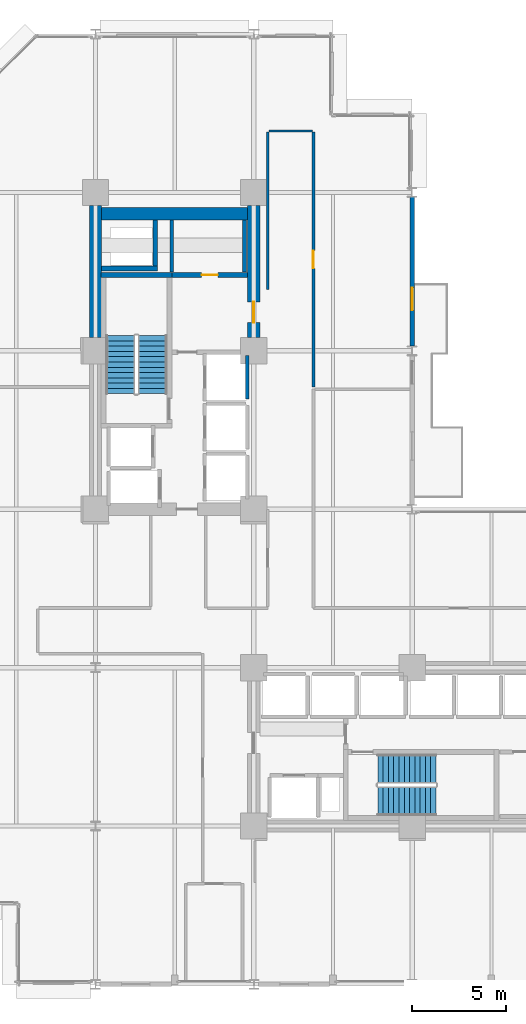
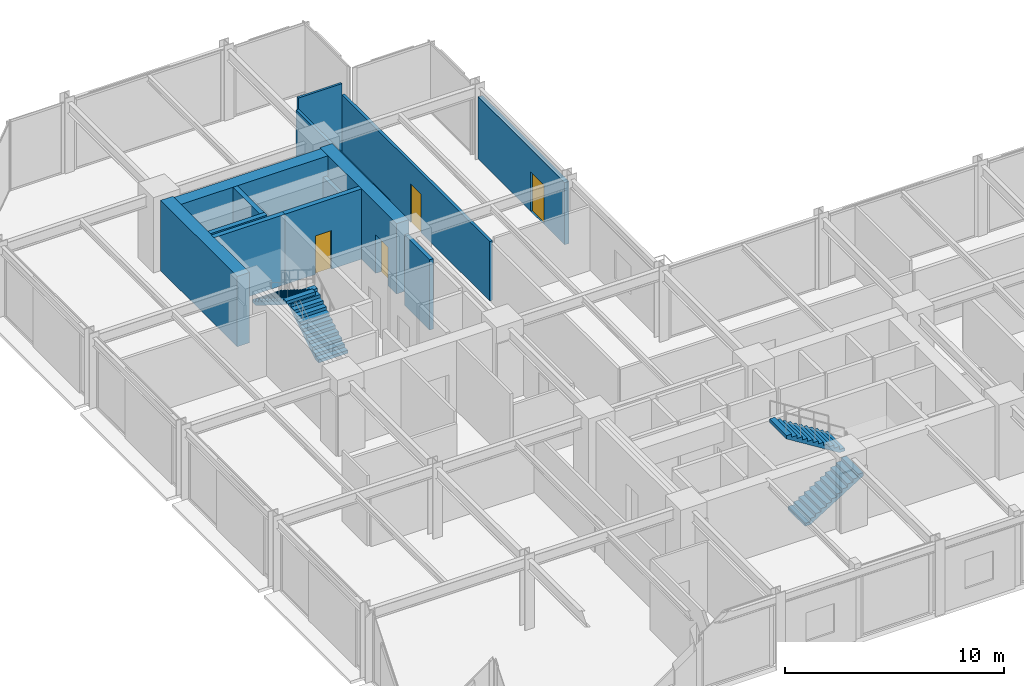
# One storey, part 22 of 25: 14 walls, 4 doors, 4 stair flights, 4 openings, 2 elements without a shape of their own.
"""IFC4 building model written with IfcOpenShell, lengths in metres."""

from ifc_helpers import new_model, si_unit, direction, frame, frame_2d, origin, place, context, subcontext, project, spatial, polyline, rectangle, outline, extrude, material, layer, layer_set, type_object, element, fill, aggregate, save


model = new_model("IFC4")

# Units and contexts
model_context = context("Model", 3, precision=1e-05, world=origin(), true_north=direction((0.0, 1.0)))
body_context = subcontext(model_context, "Body", "Model", "MODEL_VIEW")
ifc_project = project(units=[si_unit("LENGTHUNIT", "METRE"), si_unit("AREAUNIT", "SQUARE_METRE"), si_unit("VOLUMEUNIT", "CUBIC_METRE"), si_unit("PLANEANGLEUNIT", "RADIAN"), si_unit("MASSUNIT", "GRAM", prefix="KILO")], contexts=[model_context])

# Site, building, storey
site_placement = place(None, origin())
site = spatial("IfcSite", under=ifc_project, at=site_placement, CompositionType="ELEMENT")
building_placement = place(site_placement, origin())
building = spatial("IfcBuilding", under=site, at=building_placement, Name="Nerrivon Quay Data Exchange", CompositionType="ELEMENT")
storey_placement = place(building_placement, frame((0.0, 0.0, 29.0)))
storey = spatial("IfcBuildingStorey", under=building, at=storey_placement, Name="L06", CompositionType="ELEMENT", Elevation=29.0)

# Wall, opening, door
ifc_material_1 = material(Name="Architectural terracotta precast concrete N50 (50 MPa)", Category="masonry")
ifc_layer_1 = layer(ifc_material_1, 0.239990234375)
ifc_layer_set_1 = layer_set([ifc_layer_1], Name="Architectural terracotta precast concrete N50 (50 MPa)")
wall_type_1 = type_object("IfcWallType", Name="EW-PREC-240", PredefinedType="STANDARD", material=ifc_layer_set_1)
wall_1_placement = place(storey_placement, frame((25.199951171875, 41.75, 0.0), z_axis=(0.0, 0.0, 1.0), x_axis=(0.0, -1.0, 0.0)))
wall_1 = element("IfcWall", 1, at=wall_1_placement, inside=storey, type_object=wall_type_1, Name="L06 Terrace Host Wall 26", PredefinedType="STANDARD", context=body_context, shape_type="SweptSolid", body=[
    extrude(rectangle(XDim=7.89990234375, YDim=0.239990234375, at=frame_2d((3.949951171875, 0.0))), origin(), (0.0, 0.0, 1.0), 3.470947265625),
])
opening_1_placement = place(wall_1_placement, frame((4.800048828125, 0.0, 0.0)))
opening_1 = element("IfcOpeningElement", 2, at=opening_1_placement, cuts=wall_1, Name="Opening TD1", PredefinedType="OPENING", context=body_context, shape_type="SweptSolid", body=[
    extrude(rectangle(XDim=1.199951171875, YDim=2.199951171875, at=frame_2d((0.60009765625, 1.10009765625))), frame((0.0, 0.1298828125, 0.0), z_axis=(0.0, -1.0, 0.0), x_axis=(1.0, 0.0, 0.0)), (0.0, 0.0, 1.0), 0.260009765625),
])
ifc_material_2 = material(Name="Double-glazed low-E solar control glass", Category="glass")
door_type_1 = type_object("IfcDoorType", Name="DR-TERR-1200x2200", OperationType="NOTDEFINED", PredefinedType="DOOR", material=ifc_material_2)
door_1_placement = place(opening_1_placement, origin())
door_1 = element("IfcDoor", 3, at=door_1_placement, inside=storey, type_object=door_type_1, Name="L06 Outdoor Terrace Access Door 26", OperationType="SINGLE_SWING_LEFT", OverallHeight=2.199951171875, OverallWidth=1.199951171875, PredefinedType="DOOR", context=body_context, shape_type="SweptSolid", body=[
    extrude(rectangle(XDim=1.199951171875, YDim=2.199951171875, at=frame_2d((0.60009765625, 1.10009765625))), frame((0.0, 0.02490234375, 0.0), z_axis=(0.0, -1.0, 0.0), x_axis=(1.0, 0.0, 0.0)), (0.0, 0.0, 1.0), 0.050048828125),
])
fill(opening_1, door_1)

# Walls
ifc_material_3 = material(Name="Concrete N80 (80 MPa)", Category="concrete")
ifc_layer_2 = layer(ifc_material_3, 0.64990234375)
ifc_layer_set_2 = layer_set([ifc_layer_2], Name="Concrete N80 (80 MPa)")
wall_type_2 = type_object("IfcWallType", Name="WALL-CW-850", PredefinedType="SHEAR", material=ifc_layer_set_2)
wall_2_placement = place(storey_placement, frame((8.39990234375, 34.300048828125, 0.0), z_axis=(0.0, 0.0, 1.0), x_axis=(0.0, 1.0, 0.0)))
element("IfcWall", 4, at=wall_2_placement, inside=storey, type_object=wall_type_2, Name="L06 West Split-Core Shear Wall WCW-W2", PredefinedType="SHEAR", context=body_context, shape_type="SweptSolid", body=[
    extrude(rectangle(XDim=7.0, YDim=0.64990234375, at=frame_2d((3.5, 0.0))), origin(), (0.0, 0.0, 1.0), 3.925048828125),
])
wall_3_placement = place(storey_placement, frame((8.72509765625, 40.875, 0.0), z_axis=(0.0, 0.0, 1.0), x_axis=(1.0, 0.0, 0.0)))
element("IfcWall", 5, at=wall_3_placement, inside=storey, type_object=wall_type_2, Name="L06 West Split-Core Shear Wall WCW-N1", PredefinedType="SHEAR", context=body_context, shape_type="SweptSolid", body=[
    extrude(rectangle(XDim=7.75, YDim=0.64990234375, at=frame_2d((3.875, 0.0))), origin(), (0.0, 0.0, 1.0), 3.925048828125),
])

# Wall, opening, door
wall_4_placement = place(storey_placement, frame((16.800048828125, 34.300048828125, 0.0), z_axis=(0.0, 0.0, 1.0), x_axis=(0.0, 1.0, 0.0)))
wall_4 = element("IfcWall", 6, at=wall_4_placement, inside=storey, type_object=wall_type_2, Name="L06 West Split-Core Shear Wall WCW-E1", PredefinedType="SHEAR", context=body_context, shape_type="SweptSolid", body=[
    extrude(rectangle(XDim=7.0, YDim=0.64990234375, at=frame_2d((3.5, 0.0))), origin(), (0.0, 0.0, 1.0), 3.925048828125),
])
opening_2_placement = place(wall_4_placement, frame((0.800048828125, 0.0, 0.0)))
opening_2 = element("IfcOpeningElement", 7, at=opening_2_placement, cuts=wall_4, Name="Opening FD-120", PredefinedType="OPENING", context=body_context, shape_type="SweptSolid", body=[
    extrude(rectangle(XDim=1.10009765625, YDim=2.14990234375, at=frame_2d((0.550048828125, 1.074951171875))), frame((0.0, 0.3349609375, 0.0), z_axis=(0.0, -1.0, 0.0), x_axis=(1.0, 0.0, 0.0)), (0.0, 0.0, 1.0), 0.669921875),
])
ifc_material_4 = material(Name="Powder-coated galvanized steel sheet", Category="steel")
door_type_2 = type_object("IfcDoorType", Name="DR-FD120-1100", OperationType="NOTDEFINED", PredefinedType="DOOR", material=ifc_material_4)
door_2_placement = place(opening_2_placement, origin())
door_2 = element("IfcDoor", 8, at=door_2_placement, inside=storey, type_object=door_type_2, Name="L06 West Core Lobby Fire Door", OperationType="SINGLE_SWING_LEFT", OverallHeight=2.14990234375, OverallWidth=1.10009765625, PredefinedType="DOOR", context=body_context, shape_type="SweptSolid", body=[
    extrude(rectangle(XDim=1.10009765625, YDim=2.14990234375, at=frame_2d((0.550048828125, 1.074951171875))), frame((0.0, 0.02490234375, 0.0), z_axis=(0.0, -1.0, 0.0), x_axis=(1.0, 0.0, 0.0)), (0.0, 0.0, 1.0), 0.050048828125),
])
fill(opening_2, door_2)

# Walls
ifc_material_5 = material(Name="Gypsum plasterboard on cold-formed framing", Category="gypsum")
ifc_layer_3 = layer(ifc_material_5, 0.199951171875)
ifc_layer_set_3 = layer_set([ifc_layer_3], Name="Gypsum plasterboard on cold-formed framing")
wall_type_3 = type_object("IfcWallType", Name="WALL-FW-200", PredefinedType="PARTITIONING", material=ifc_layer_set_3)
wall_5_placement = place(storey_placement, frame((16.449951171875, 31.050048828125, 0.0), z_axis=(0.0, 0.0, 1.0), x_axis=(0.0, 1.0, 0.0)))
element("IfcWall", 9, at=wall_5_placement, inside=storey, type_object=wall_type_3, Name="L06 Lift Shaft Wall PL3 EAST", PredefinedType="PARTITIONING", context=body_context, shape_type="SweptSolid", body=[
    extrude(rectangle(XDim=2.300048828125, YDim=0.199951171875, at=frame_2d((1.14990234375, 0.0))), origin(), (0.0, 0.0, 1.0), 3.925048828125),
])
for number, where, z_axis, x_axis, name in (
    (10, (16.300048828125, 37.780029296875, 0.0), (0.0, 0.0, 1.0), (0.0, 1.0, 0.0), "L06 Partition Cleaners Store"),
    (11, (12.449951171875, 40.5458984375, 0.0), (0.0, 0.0, 1.0), (0.0, -1.0, 0.0), "L06 Partition Cleaners Store"),
):
    element("IfcWall", number, at=place(storey_placement, frame(where, z_axis=z_axis, x_axis=x_axis)), inside=storey, type_object=wall_type_3, Name=name, PredefinedType="PARTITIONING", context=body_context, shape_type="SweptSolid", body=[
        extrude(rectangle(XDim=2.765869140625, YDim=0.199951171875, at=frame_2d((1.3828125, 0.0))), origin(), (0.0, 0.0, 1.0), 2.824951171875),
    ])
ifc_layer_4 = layer(ifc_material_5, 0.1201171875)
ifc_layer_set_4 = layer_set([ifc_layer_4], Name="Gypsum plasterboard on cold-formed framing")
wall_type_4 = type_object("IfcWallType", Name="WALL-PT-120", PredefinedType="PARTITIONING", material=ifc_layer_set_4)
wall_6_placement = place(storey_placement, frame((17.60009765625, 45.260009765625, 0.0), z_axis=(0.0, 0.0, 1.0), x_axis=(1.0, 0.0, 0.0)))
element("IfcWall", 12, at=wall_6_placement, inside=storey, type_object=wall_type_4, Name="L06 Partition Cloud Compute Workspace 1", PredefinedType="PARTITIONING", context=body_context, shape_type="SweptSolid", body=[
    extrude(rectangle(XDim=2.2998046875, YDim=0.1201171875, at=frame_2d((1.14990234375, 0.0))), origin(), (0.0, 0.0, 1.0), 3.925048828125),
])

# Wall, opening, door
ifc_layer_5 = layer(ifc_material_5, 0.14990234375)
ifc_layer_set_5 = layer_set([ifc_layer_5], Name="Gypsum plasterboard on cold-formed framing")
wall_type_5 = type_object("IfcWallType", Name="WALL-PT-150", PredefinedType="PARTITIONING", material=ifc_layer_set_5)
wall_7_placement = place(storey_placement, frame((19.9599609375, 45.199951171875, 0.0), z_axis=(0.0, 0.0, 1.0), x_axis=(0.0, -1.0, 0.0)))
wall_7 = element("IfcWall", 13, at=wall_7_placement, inside=storey, type_object=wall_type_5, Name="L06 Partition Cloud Compute Workspace 1", PredefinedType="PARTITIONING", context=body_context, shape_type="SweptSolid", body=[
    extrude(rectangle(XDim=13.507080078125, YDim=0.14990234375, at=frame_2d((6.75341796875, 0.0))), origin(), (0.0, 0.0, 1.0), 3.31298828125),
])
opening_3_placement = place(wall_7_placement, frame((6.278564453125, 0.0, 0.0)))
opening_3 = element("IfcOpeningElement", 14, at=opening_3_placement, cuts=wall_7, Name="Opening D-01", PredefinedType="OPENING", context=body_context, shape_type="SweptSolid", body=[
    extrude(rectangle(XDim=0.949951171875, YDim=2.14990234375, at=frame_2d((0.47509765625, 1.074951171875))), frame((0.0, 0.0849609375, 0.0), z_axis=(0.0, -1.0, 0.0), x_axis=(1.0, 0.0, 0.0)), (0.0, 0.0, 1.0), 0.169921875),
])
ifc_material_6 = material(Name="Engineered hardwood timber", Category="wood")
door_type_3 = type_object("IfcDoorType", Name="DR-INT-950", OperationType="NOTDEFINED", PredefinedType="DOOR", material=ifc_material_6)
door_3_placement = place(opening_3_placement, origin())
door_3 = element("IfcDoor", 15, at=door_3_placement, inside=storey, type_object=door_type_3, Name="L06 Door Cloud Compute Workspace 1", OperationType="SINGLE_SWING_LEFT", OverallHeight=2.14990234375, OverallWidth=0.949951171875, PredefinedType="DOOR", context=body_context, shape_type="SweptSolid", body=[
    extrude(rectangle(XDim=0.949951171875, YDim=2.14990234375, at=frame_2d((0.47509765625, 1.074951171875))), frame((0.0, 0.02490234375, 0.0), z_axis=(0.0, -1.0, 0.0), x_axis=(1.0, 0.0, 0.0)), (0.0, 0.0, 1.0), 0.050048828125),
])
fill(opening_3, door_3)

# Walls
wall_8_placement = place(storey_placement, frame((17.5400390625, 36.860107421875, 0.0), z_axis=(0.0, 0.0, 1.0), x_axis=(0.0, 1.0, 0.0)))
element("IfcWall", 16, at=wall_8_placement, inside=storey, type_object=wall_type_5, Name="L06 Partition Cloud Compute Workspace 1", PredefinedType="PARTITIONING", context=body_context, shape_type="SweptSolid", body=[
    extrude(rectangle(XDim=8.33984375, YDim=0.14990234375, at=frame_2d((4.169921875, 0.0))), origin(), (0.0, 0.0, 1.0), 3.31298828125),
])
ifc_material_7 = material(Name="Concrete N50 (50 MPa)", Category="concrete")
ifc_layer_6 = layer(ifc_material_7, 0.25)
ifc_layer_set_6 = layer_set([ifc_layer_6], Name="Concrete N50 (50 MPa)")
wall_type_6 = type_object("IfcWallType", Name="WALL-SW-250", PredefinedType="SHEAR", material=ifc_layer_set_6)
wall_9_placement = place(storey_placement, frame((12.449951171875, 37.625, 0.0), z_axis=(0.0, 0.0, 1.0), x_axis=(-1.0, 0.0, 0.0)))
element("IfcWall", 17, at=wall_9_placement, inside=storey, type_object=wall_type_6, Name="L06 ST01 Structural Stair Core Wall FAR", PredefinedType="SHEAR", context=body_context, shape_type="SweptSolid", body=[
    extrude(rectangle(XDim=3.75, YDim=0.25, at=frame_2d((1.875, 0.0))), origin(), (0.0, 0.0, 1.0), 3.925048828125),
])
wall_10_placement = place(storey_placement, frame((8.72509765625, 37.97509765625, 0.0), z_axis=(0.0, 0.0, 1.0), x_axis=(1.0, 0.0, 0.0)))
element("IfcWall", 18, at=wall_10_placement, inside=storey, type_object=wall_type_6, Name="L06 West Core MEP Riser Shaft Wall S", PredefinedType="SHEAR", context=body_context, shape_type="SweptSolid", body=[
    extrude(rectangle(XDim=2.974853515625, YDim=0.25, at=frame_2d((1.4873046875, 0.0))), origin(), (0.0, 0.0, 1.0), 3.925048828125),
])
wall_11_placement = place(storey_placement, frame((11.574951171875, 38.10009765625, 0.0), z_axis=(0.0, 0.0, 1.0), x_axis=(0.0, 1.0, 0.0)))
element("IfcWall", 19, at=wall_11_placement, inside=storey, type_object=wall_type_6, Name="L06 West Core MEP Riser Shaft Wall E", PredefinedType="SHEAR", context=body_context, shape_type="SweptSolid", body=[
    extrude(rectangle(XDim=2.449951171875, YDim=0.25, at=frame_2d((1.22509765625, 0.0))), origin(), (0.0, 0.0, 1.0), 3.925048828125),
])

# Wall, opening, door
wall_12_placement = place(storey_placement, frame((12.449951171875, 37.625, 0.0), z_axis=(0.0, 0.0, 1.0), x_axis=(1.0, 0.0, 0.0)))
wall_12 = element("IfcWall", 20, at=wall_12_placement, inside=storey, type_object=wall_type_6, Name="L06 West Firefighting Lobby Wall", PredefinedType="SHEAR", context=body_context, shape_type="SweptSolid", body=[
    extrude(rectangle(XDim=4.025146484375, YDim=0.25, at=frame_2d((2.0126953125, 0.0))), origin(), (0.0, 0.0, 1.0), 3.925048828125),
])
opening_4_placement = place(wall_12_placement, frame((1.58740234375, 0.0, 0.0)))
opening_4 = element("IfcOpeningElement", 21, at=opening_4_placement, cuts=wall_12, Name="Opening FD-60S", PredefinedType="OPENING", context=body_context, shape_type="SweptSolid", body=[
    extrude(rectangle(XDim=0.85009765625, YDim=2.14990234375, at=frame_2d((0.425048828125, 1.074951171875))), frame((0.0, 0.135009765625, 0.0), z_axis=(0.0, -1.0, 0.0), x_axis=(1.0, 0.0, 0.0)), (0.0, 0.0, 1.0), 0.27001953125),
])
door_type_4 = type_object("IfcDoorType", Name="DR-FD60-850", OperationType="NOTDEFINED", PredefinedType="DOOR", material=ifc_material_6)
door_4_placement = place(opening_4_placement, origin())
door_4 = element("IfcDoor", 22, at=door_4_placement, inside=storey, type_object=door_type_4, Name="L06 Door Cleaners Store", OperationType="SINGLE_SWING_LEFT", OverallHeight=2.14990234375, OverallWidth=0.85009765625, PredefinedType="DOOR", context=body_context, shape_type="SweptSolid", body=[
    extrude(rectangle(XDim=0.85009765625, YDim=2.14990234375, at=frame_2d((0.425048828125, 1.074951171875))), frame((0.0, 0.02490234375, 0.0), z_axis=(0.0, -1.0, 0.0), x_axis=(1.0, 0.0, 0.0)), (0.0, 0.0, 1.0), 0.050048828125),
])
fill(opening_4, door_4)

# Stair, stair flights
stair_type = type_object("IfcStairType", Name="STAIR-DOG-42", PredefinedType="HALF_TURN_STAIR", material=ifc_material_7)
stair_1_placement = place(storey_placement, origin())
stair_1 = element("IfcStair", 23, at=stair_1_placement, inside=storey, type_object=stair_type, Name="L06 West Core Fire Stair ST01", PredefinedType="HALF_TURN_STAIR")
stair_flight_type = type_object("IfcStairFlightType", Name="FLIGHT-DOG-42", PredefinedType="STRAIGHT", material=ifc_material_7)
stair_flight_1_placement = place(storey_placement, frame((11.425048828125, 31.330078125, 0.0), z_axis=(0.0, 0.0, 1.0), x_axis=(0.0, 1.0, 0.0)))
stair_flight_1 = element("IfcStairFlight", 24, at=stair_flight_1_placement, type_object=stair_flight_type, Name="ST01 flight 1", NumberOfRisers=12, NumberOfTreads=11, PredefinedType="STRAIGHT", RiserHeight=0.175, TreadLength=0.28, context=body_context, shape_type="SweptSolid", body=[
    extrude(outline(polyline([(0.0, 0.0), (0.0, 0.175048828125), (0.280029296875, 0.175048828125), (0.280029296875, 0.35009765625), (0.56005859375, 0.35009765625), (0.56005859375, 0.52490234375), (0.840087890625, 0.52490234375), (0.840087890625, 0.699951171875), (1.1201171875, 0.699951171875), (1.1201171875, 0.875), (1.39990234375, 0.875), (1.39990234375, 1.050048828125), (1.679931640625, 1.050048828125), (1.679931640625, 1.22509765625), (1.9599609375, 1.22509765625), (1.9599609375, 1.39990234375), (2.239990234375, 1.39990234375), (2.239990234375, 1.574951171875), (2.52001953125, 1.574951171875), (2.52001953125, 1.75), (2.800048828125, 1.75), (2.800048828125, 1.925048828125), (3.080078125, 1.925048828125), (3.080078125, 2.10009765625), (3.080078125, 1.748291015625), (0.28271484375, 0.0), (0.0, 0.0)])), frame((0.0, 0.77490234375, 0.0), z_axis=(0.0, -1.0, 0.0), x_axis=(1.0, 0.0, 0.0)), (0.0, 0.0, 1.0), 1.550048828125),
])
stair_flight_2_placement = place(storey_placement, frame((9.72509765625, 34.409912109375, 2.10009765625), z_axis=(0.0, 0.0, 1.0), x_axis=(0.0, -1.0, 0.0)))
stair_flight_2 = element("IfcStairFlight", 25, at=stair_flight_2_placement, type_object=stair_flight_type, Name="ST01 flight 2", NumberOfRisers=12, NumberOfTreads=11, PredefinedType="STRAIGHT", RiserHeight=0.175, TreadLength=0.28, context=body_context, shape_type="SweptSolid", body=[
    extrude(outline(polyline([(0.0, 0.0), (0.0, 0.175048828125), (0.280029296875, 0.175048828125), (0.280029296875, 0.35009765625), (0.56005859375, 0.35009765625), (0.56005859375, 0.52490234375), (0.840087890625, 0.52490234375), (0.840087890625, 0.699951171875), (1.1201171875, 0.699951171875), (1.1201171875, 0.875), (1.39990234375, 0.875), (1.39990234375, 1.050048828125), (1.679931640625, 1.050048828125), (1.679931640625, 1.22509765625), (1.9599609375, 1.22509765625), (1.9599609375, 1.39990234375), (2.239990234375, 1.39990234375), (2.239990234375, 1.574951171875), (2.52001953125, 1.574951171875), (2.52001953125, 1.75), (2.800048828125, 1.75), (2.800048828125, 1.925048828125), (3.080078125, 1.925048828125), (3.080078125, 2.10009765625), (3.080078125, 1.748291015625), (0.28271484375, 0.0), (0.0, 0.0)])), frame((0.0, 0.77490234375, 0.0), z_axis=(0.0, -1.0, 0.0), x_axis=(1.0, 0.0, 0.0)), (0.0, 0.0, 1.0), 1.550048828125),
])
aggregate(stair_1, [stair_flight_1, stair_flight_2])

stair_2_placement = place(storey_placement, origin())
stair_2 = element("IfcStair", 26, at=stair_2_placement, inside=storey, type_object=stair_type, Name="L06 East Core Fire Stair ST02", PredefinedType="HALF_TURN_STAIR")
stair_flight_3_placement = place(storey_placement, frame((23.3798828125, 9.72509765625, 0.0), z_axis=(0.0, 0.0, 1.0), x_axis=(1.0, 0.0, 0.0)))
stair_flight_3 = element("IfcStairFlight", 27, at=stair_flight_3_placement, type_object=stair_flight_type, Name="ST02 flight 1", NumberOfRisers=12, NumberOfTreads=11, PredefinedType="STRAIGHT", RiserHeight=0.175, TreadLength=0.28, context=body_context, shape_type="SweptSolid", body=[
    extrude(outline(polyline([(0.0, 0.0), (0.0, 0.175048828125), (0.280029296875, 0.175048828125), (0.280029296875, 0.35009765625), (0.56005859375, 0.35009765625), (0.56005859375, 0.52490234375), (0.840087890625, 0.52490234375), (0.840087890625, 0.699951171875), (1.1201171875, 0.699951171875), (1.1201171875, 0.875), (1.39990234375, 0.875), (1.39990234375, 1.050048828125), (1.679931640625, 1.050048828125), (1.679931640625, 1.22509765625), (1.9599609375, 1.22509765625), (1.9599609375, 1.39990234375), (2.239990234375, 1.39990234375), (2.239990234375, 1.574951171875), (2.52001953125, 1.574951171875), (2.52001953125, 1.75), (2.800048828125, 1.75), (2.800048828125, 1.925048828125), (3.080078125, 1.925048828125), (3.080078125, 2.10009765625), (3.080078125, 1.748291015625), (0.28271484375, 0.0), (0.0, 0.0)])), frame((0.0, 0.77490234375, 0.0), z_axis=(0.0, -1.0, 0.0), x_axis=(1.0, 0.0, 0.0)), (0.0, 0.0, 1.0), 1.550048828125),
])
stair_flight_4_placement = place(storey_placement, frame((26.4599609375, 11.425048828125, 2.10009765625), z_axis=(0.0, 0.0, 1.0), x_axis=(-1.0, 0.0, 0.0)))
stair_flight_4 = element("IfcStairFlight", 28, at=stair_flight_4_placement, type_object=stair_flight_type, Name="ST02 flight 2", NumberOfRisers=12, NumberOfTreads=11, PredefinedType="STRAIGHT", RiserHeight=0.175, TreadLength=0.28, context=body_context, shape_type="SweptSolid", body=[
    extrude(outline(polyline([(0.0, 0.0), (0.0, 0.175048828125), (0.280029296875, 0.175048828125), (0.280029296875, 0.35009765625), (0.56005859375, 0.35009765625), (0.56005859375, 0.52490234375), (0.840087890625, 0.52490234375), (0.840087890625, 0.699951171875), (1.1201171875, 0.699951171875), (1.1201171875, 0.875), (1.39990234375, 0.875), (1.39990234375, 1.050048828125), (1.679931640625, 1.050048828125), (1.679931640625, 1.22509765625), (1.9599609375, 1.22509765625), (1.9599609375, 1.39990234375), (2.239990234375, 1.39990234375), (2.239990234375, 1.574951171875), (2.52001953125, 1.574951171875), (2.52001953125, 1.75), (2.800048828125, 1.75), (2.800048828125, 1.925048828125), (3.080078125, 1.925048828125), (3.080078125, 2.10009765625), (3.080078125, 1.748291015625), (0.28271484375, 0.0), (0.0, 0.0)])), frame((0.0, 0.77490234375, 0.0), z_axis=(0.0, -1.0, 0.0), x_axis=(1.0, 0.0, 0.0)), (0.0, 0.0, 1.0), 1.550048828125),
])
aggregate(stair_2, [stair_flight_3, stair_flight_4])

save(model, "model.ifc")
